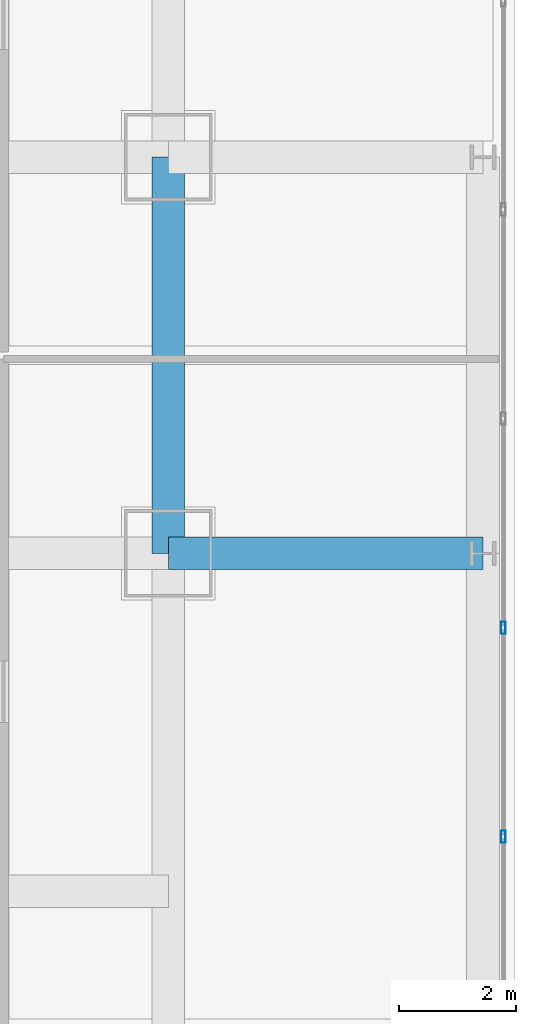
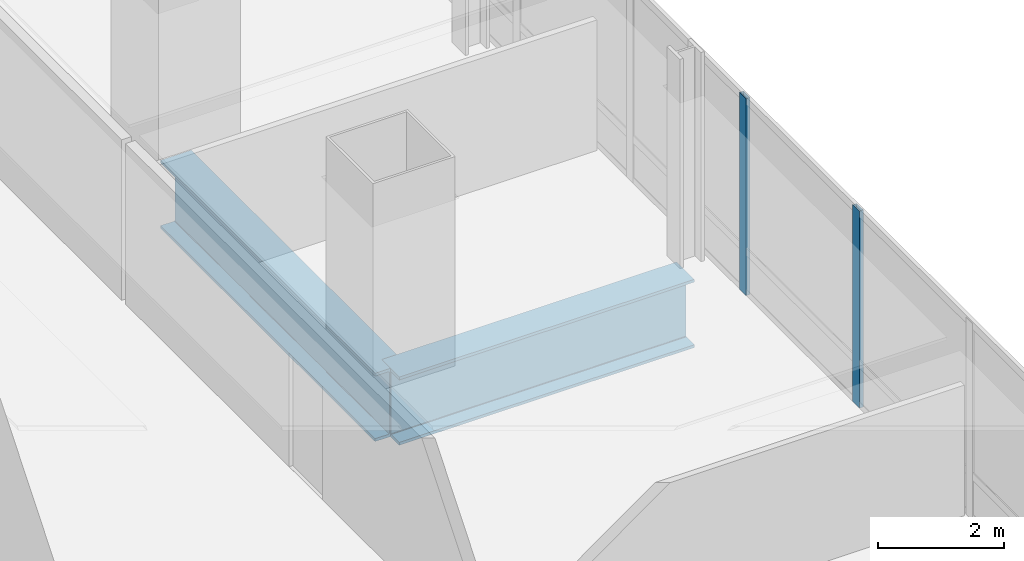
# One storey, part 13 of 37: 2 beams, 2 members, 1 element without a shape of its own.
"""IFC4 building model written with IfcOpenShell, lengths in metres."""

from ifc_helpers import new_model, si_unit, direction, frame, origin, origin_2d, place, context, subcontext, project, spatial, hollow_rectangle, i_section, extrude, material, material_profile, profile_set, type_object, element, aggregate, save


model = new_model("IFC4")

# Units and contexts
model_context = context("Model", 3, precision=1e-05, world=origin(), true_north=direction((0.0, 1.0)))
body_context = subcontext(model_context, "Body", "Model", "MODEL_VIEW")
ifc_project = project(units=[si_unit("LENGTHUNIT", "METRE"), si_unit("AREAUNIT", "SQUARE_METRE"), si_unit("VOLUMEUNIT", "CUBIC_METRE"), si_unit("PLANEANGLEUNIT", "RADIAN"), si_unit("MASSUNIT", "GRAM", prefix="KILO")], contexts=[model_context])

# Site, building, storey
site_placement = place(None, origin())
site = spatial("IfcSite", under=ifc_project, at=site_placement, CompositionType="ELEMENT")
building_placement = place(site_placement, origin())
building = spatial("IfcBuilding", under=site, at=building_placement, Name="Punatoya Terracotta Tower", CompositionType="ELEMENT")
storey_placement = place(building_placement, frame((0.0, 0.0, 109.199951171875)))
storey = spatial("IfcBuildingStorey", under=building, at=storey_placement, Name="L25", CompositionType="ELEMENT", Elevation=109.199951171875)

# Beams
ifc_material_1 = material(Name="Steel S460", Category="steel")
ifc_material_profile_1 = material_profile(ifc_material_1, i_section(OverallWidth=0.56005859375, OverallDepth=1.320068359375, WebThickness=0.035888671875, FlangeThickness=0.054931640625, FilletRadius=0.01806640625, at=origin_2d()))
ifc_profile_set_1 = profile_set([ifc_material_profile_1], Name="Steel S460")
beam_type = type_object("IfcBeamType", Name="BM-TG-BLK", PredefinedType="BEAM", material=ifc_profile_set_1)
beam_1_placement = place(storey_placement, frame((19.10009765625, -3.39990234375, -0.89990234375), z_axis=(0.0, 1.0, 0.0), x_axis=(-1.0, 0.0, 0.0)))
element("IfcBeam", 1, at=beam_1_placement, inside=storey, type_object=beam_type, Name="BM-L25-RG-E2", PredefinedType="BEAM", context=body_context, shape_type="SweptSolid", body=[
    extrude(i_section(OverallWidth=0.56005859375, OverallDepth=1.320068359375, WebThickness=0.035888671875, FlangeThickness=0.054931640625, FilletRadius=0.01806640625, at=origin_2d()), origin(), (0.0, 0.0, 1.0), 6.7998046875),
])
beam_2_placement = place(storey_placement, frame((19.10009765625, -3.39990234375, -0.89990234375), z_axis=(1.0, 0.0, 0.0), x_axis=(0.0, 1.0, 0.0)))
element("IfcBeam", 2, at=beam_2_placement, inside=storey, type_object=beam_type, Name="BM-L25-CANT-E2", PredefinedType="BEAM", context=body_context, shape_type="SweptSolid", body=[
    extrude(i_section(OverallWidth=0.56005859375, OverallDepth=1.320068359375, WebThickness=0.035888671875, FlangeThickness=0.054931640625, FilletRadius=0.01806640625, at=origin_2d()), origin(), (0.0, 0.0, 1.0), 5.39990234375),
])

# Curtain wall, members
ifc_material_2 = material(Name="Aluminium 6063-T6 + Double Low-E Glass", Category="aluminium")
curtain_wall_type = type_object("IfcCurtainWallType", Name="CW-M1", PredefinedType="NOTDEFINED", material=ifc_material_2)
curtain_wall_placement = place(storey_placement, origin())
curtain_wall = element("IfcCurtainWall", 3, at=curtain_wall_placement, inside=storey, type_object=curtain_wall_type, Name="L25 Curtain Wall CW-L25-E05-1", PredefinedType="NOTDEFINED")
ifc_material_3 = material(Name="Aluminium 6063-T6", Category="aluminium")
ifc_material_profile_2 = material_profile(ifc_material_3, hollow_rectangle(XDim=0.074951171875, YDim=0.2099609375, WallThickness=0.00439453125, at=origin_2d()))
ifc_profile_set_2 = profile_set([ifc_material_profile_2], Name="Aluminium 6063-T6")
member_type = type_object("IfcMemberType", Name="CW-MUL-M1", PredefinedType="MULLION", material=ifc_profile_set_2)
member_1_placement = place(storey_placement, frame((24.85009765625, -8.261962890625, 0.0), z_axis=(0.0, 0.0, 1.0), x_axis=(1.0, 0.0, 0.0)))
member_1 = element("IfcMember", 4, at=member_1_placement, type_object=member_type, Name="CW-L25-E05-1 Mullion 02", PredefinedType="MULLION", context=body_context, shape_type="SweptSolid", body=[
    extrude(hollow_rectangle(XDim=0.074951171875, YDim=0.2099609375, WallThickness=0.00439453125, at=origin_2d()), origin(), (0.0, 0.0, 1.0), 3.81005859375),
])
member_2_placement = place(storey_placement, frame((24.85009765625, -4.674560546875, 0.0), z_axis=(0.0, 0.0, 1.0), x_axis=(1.0, 0.0, 0.0)))
member_2 = element("IfcMember", 5, at=member_2_placement, type_object=member_type, Name="CW-L25-E05-1 Mullion 03", PredefinedType="MULLION", context=body_context, shape_type="SweptSolid", body=[
    extrude(hollow_rectangle(XDim=0.074951171875, YDim=0.2099609375, WallThickness=0.00439453125, at=origin_2d()), origin(), (0.0, 0.0, 1.0), 3.81005859375),
])
aggregate(curtain_wall, [member_1, member_2])

save(model, "model.ifc")
